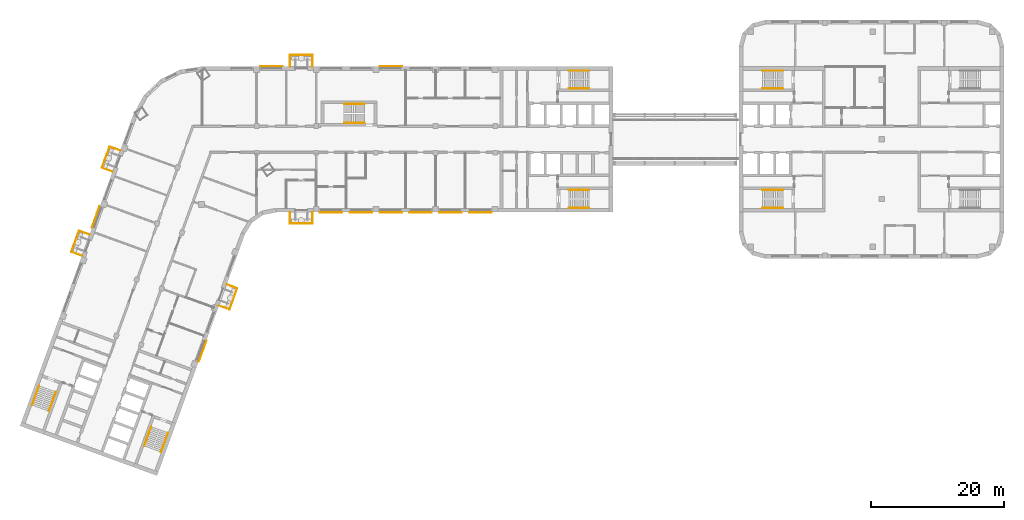
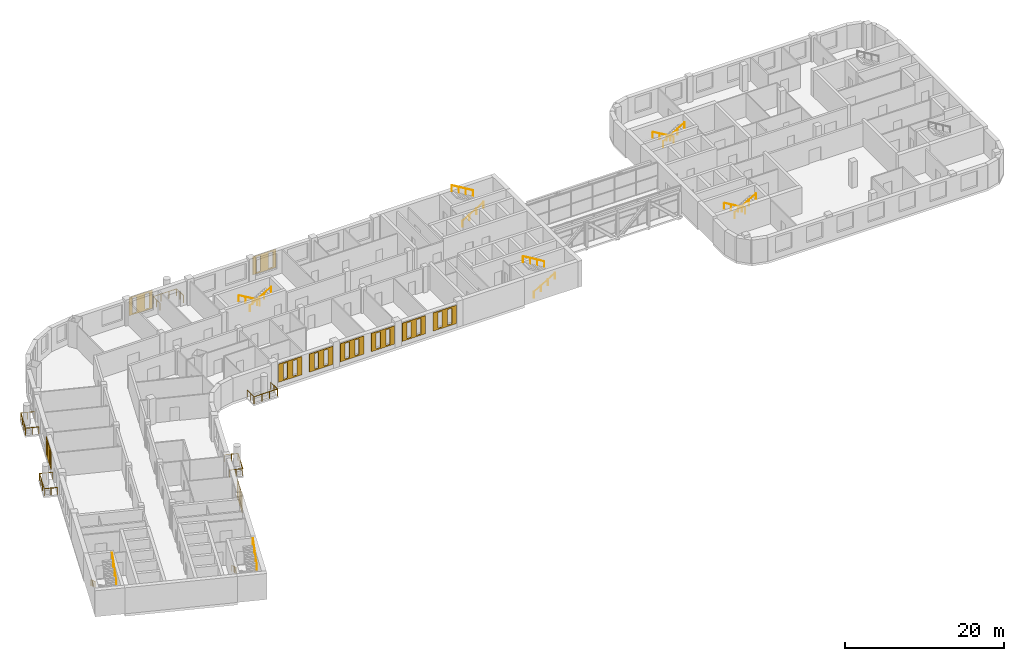
# One storey, part 15 of 18: 19 railings, 10 coverings.
"""IFC4 building model written with IfcOpenShell, lengths in metres."""

from ifc_helpers import new_model, si_unit, direction, frame, origin, origin_2d, place, context, subcontext, project, spatial, polyline, circle, outline, extrude, material, material_profile, profile_set, type_object, element, save


model = new_model("IFC4")

# Units and contexts
model_context = context("Model", 3, precision=1e-05, world=origin(), true_north=direction((0.0, 1.0)))
body_context = subcontext(model_context, "Body", "Model", "MODEL_VIEW")
ifc_project = project(units=[si_unit("LENGTHUNIT", "METRE"), si_unit("AREAUNIT", "SQUARE_METRE"), si_unit("VOLUMEUNIT", "CUBIC_METRE"), si_unit("PLANEANGLEUNIT", "RADIAN"), si_unit("MASSUNIT", "GRAM", prefix="KILO")], contexts=[model_context])

# Site, building, storey
site_placement = place(None, origin())
site = spatial("IfcSite", under=ifc_project, at=site_placement, CompositionType="ELEMENT")
building_placement = place(site_placement, origin())
building = spatial("IfcBuilding", under=site, at=building_placement, Name="Skarvind Civic Tower", CompositionType="ELEMENT")
storey_placement = place(building_placement, frame((0.0, 0.0, 31.5)))
storey = spatial("IfcBuildingStorey", under=building, at=storey_placement, Name="L06", CompositionType="ELEMENT", Elevation=31.5)

# Railings
ifc_material_1 = material(Name="Stainless steel balustrade", Category="steel")
railing_type_1 = type_object("IfcRailingType", Name="GR1 GUARD 1100", PredefinedType="GUARDRAIL", material=ifc_material_1)
railing_1_placement = place(storey_placement, frame((49.735595703125, 106.101806640625, 0.0)))
element("IfcRailing", 1, at=railing_1_placement, inside=storey, type_object=railing_type_1, Name="TREE BALCONY GUARD", PredefinedType="GUARDRAIL", context=body_context, shape_type="SweptSolid", body=[
    extrude(circle(Radius=0.02392578125, at=origin_2d()), frame((0.0, 0.0, 1.076171875), z_axis=(0.93966756638, -0.342088971896, 0.0), x_axis=(0.342088971896, 0.93966756638, 0.0)), (0.0, 0.0, 1.0), 1.699951171875),
    extrude(circle(Radius=0.02392578125, at=origin_2d()), frame((1.597412109375, -0.58154296875, 1.076171875), z_axis=(-0.342002487902, -0.939699046647, 0.0), x_axis=(0.939699046647, -0.342002487902, 0.0)), (0.0, 0.0, 1.0), 3.400146484375),
    extrude(circle(Radius=0.02392578125, at=origin_2d()), frame((0.4345703125, -3.776611328125, 1.076171875), z_axis=(-0.93966756638, 0.342088971896, 0.0), x_axis=(-0.342088971896, -0.93966756638, 0.0)), (0.0, 0.0, 1.0), 1.699951171875),
    extrude(circle(Radius=0.02099609375, at=origin_2d()), origin(), (0.0, 0.0, 1.0), 1.052001953125),
    extrude(circle(Radius=0.02099609375, at=origin_2d()), frame((0.798828125, -0.290771484375, 0.0)), (0.0, 0.0, 1.0), 1.052001953125),
    extrude(circle(Radius=0.02099609375, at=origin_2d()), frame((1.597412109375, -0.58154296875, 0.0)), (0.0, 0.0, 1.0), 1.052001953125),
    extrude(circle(Radius=0.02099609375, at=origin_2d()), frame((1.209716796875, -1.646484375, 0.0)), (0.0, 0.0, 1.0), 1.052001953125),
    extrude(circle(Radius=0.02099609375, at=origin_2d()), frame((0.822265625, -2.711669921875, 0.0)), (0.0, 0.0, 1.0), 1.052001953125),
    extrude(circle(Radius=0.02099609375, at=origin_2d()), frame((0.4345703125, -3.776611328125, 0.0)), (0.0, 0.0, 1.0), 1.052001953125),
    extrude(circle(Radius=0.02099609375, at=origin_2d()), frame((-0.3642578125, -3.48583984375, 0.0)), (0.0, 0.0, 1.0), 1.052001953125),
    extrude(circle(Radius=0.02099609375, at=origin_2d()), frame((-1.162841796875, -3.195068359375, 0.0)), (0.0, 0.0, 1.0), 1.052001953125),
])
railing_2_placement = place(storey_placement, frame((62.699951171875, 117.0, 0.0)))
element("IfcRailing", 2, at=railing_2_placement, inside=storey, type_object=railing_type_1, Name="TREE BALCONY GUARD", PredefinedType="GUARDRAIL", context=body_context, shape_type="SweptSolid", body=[
    extrude(circle(Radius=0.02392578125, at=origin_2d()), frame((0.0, 0.0, 1.076171875), z_axis=(0.0, -1.0, 0.0), x_axis=(1.0, 0.0, 0.0)), (0.0, 0.0, 1.0), 1.699951171875),
    extrude(circle(Radius=0.02392578125, at=origin_2d()), frame((0.0, -1.699951171875, 1.076171875), z_axis=(-1.0, 0.0, 0.0), x_axis=(0.0, -1.0, 0.0)), (0.0, 0.0, 1.0), 3.39990234375),
    extrude(circle(Radius=0.02392578125, at=origin_2d()), frame((-3.39990234375, -1.699951171875, 1.076171875), z_axis=(0.0, 1.0, 0.0), x_axis=(-1.0, 0.0, 0.0)), (0.0, 0.0, 1.0), 1.699951171875),
    extrude(circle(Radius=0.02099609375, at=origin_2d()), origin(), (0.0, 0.0, 1.0), 1.052001953125),
    extrude(circle(Radius=0.02099609375, at=origin_2d()), frame((0.0, -0.85009765625, 0.0)), (0.0, 0.0, 1.0), 1.052001953125),
    extrude(circle(Radius=0.02099609375, at=origin_2d()), frame((0.0, -1.699951171875, 0.0)), (0.0, 0.0, 1.0), 1.052001953125),
    extrude(circle(Radius=0.02099609375, at=origin_2d()), frame((-1.13330078125, -1.699951171875, 0.0)), (0.0, 0.0, 1.0), 1.052001953125),
    extrude(circle(Radius=0.02099609375, at=origin_2d()), frame((-2.2666015625, -1.699951171875, 0.0)), (0.0, 0.0, 1.0), 1.052001953125),
    extrude(circle(Radius=0.02099609375, at=origin_2d()), frame((-3.39990234375, -1.699951171875, 0.0)), (0.0, 0.0, 1.0), 1.052001953125),
    extrude(circle(Radius=0.02099609375, at=origin_2d()), frame((-3.39990234375, -0.85009765625, 0.0)), (0.0, 0.0, 1.0), 1.052001953125),
    extrude(circle(Radius=0.02099609375, at=origin_2d()), frame((-3.39990234375, 0.0, 0.0)), (0.0, 0.0, 1.0), 1.052001953125),
])
railing_3_placement = place(storey_placement, frame((59.300048828125, 139.0, 0.0)))
element("IfcRailing", 3, at=railing_3_placement, inside=storey, type_object=railing_type_1, Name="TREE BALCONY GUARD", PredefinedType="GUARDRAIL", context=body_context, shape_type="SweptSolid", body=[
    extrude(circle(Radius=0.02392578125, at=origin_2d()), frame((0.0, 0.0, 1.076171875), z_axis=(0.0, 1.0, 0.0), x_axis=(-1.0, 0.0, 0.0)), (0.0, 0.0, 1.0), 1.699951171875),
    extrude(circle(Radius=0.02392578125, at=origin_2d()), frame((0.0, 1.699951171875, 1.076171875), z_axis=(1.0, 0.0, 0.0), x_axis=(0.0, 1.0, 0.0)), (0.0, 0.0, 1.0), 3.39990234375),
    extrude(circle(Radius=0.02392578125, at=origin_2d()), frame((3.39990234375, 1.699951171875, 1.076171875), z_axis=(0.0, -1.0, 0.0), x_axis=(1.0, 0.0, 0.0)), (0.0, 0.0, 1.0), 1.699951171875),
    extrude(circle(Radius=0.02099609375, at=origin_2d()), origin(), (0.0, 0.0, 1.0), 1.052001953125),
    extrude(circle(Radius=0.02099609375, at=origin_2d()), frame((0.0, 0.85009765625, 0.0)), (0.0, 0.0, 1.0), 1.052001953125),
    extrude(circle(Radius=0.02099609375, at=origin_2d()), frame((0.0, 1.699951171875, 0.0)), (0.0, 0.0, 1.0), 1.052001953125),
    extrude(circle(Radius=0.02099609375, at=origin_2d()), frame((1.13330078125, 1.699951171875, 0.0)), (0.0, 0.0, 1.0), 1.052001953125),
    extrude(circle(Radius=0.02099609375, at=origin_2d()), frame((2.2666015625, 1.699951171875, 0.0)), (0.0, 0.0, 1.0), 1.052001953125),
    extrude(circle(Radius=0.02099609375, at=origin_2d()), frame((3.39990234375, 1.699951171875, 0.0)), (0.0, 0.0, 1.0), 1.052001953125),
    extrude(circle(Radius=0.02099609375, at=origin_2d()), frame((3.39990234375, 0.85009765625, 0.0)), (0.0, 0.0, 1.0), 1.052001953125),
    extrude(circle(Radius=0.02099609375, at=origin_2d()), frame((3.39990234375, 0.0, 0.0)), (0.0, 0.0, 1.0), 1.052001953125),
])
railing_4_placement = place(storey_placement, frame((27.8994140625, 110.43115234375, 0.0)))
element("IfcRailing", 4, at=railing_4_placement, inside=storey, type_object=railing_type_1, Name="TREE BALCONY GUARD", PredefinedType="GUARDRAIL", context=body_context, shape_type="SweptSolid", body=[
    extrude(circle(Radius=0.02392578125, at=origin_2d()), frame((0.0, 0.0, 1.076171875), z_axis=(-0.93966756638, 0.342088971896, 0.0), x_axis=(-0.342088971896, -0.93966756638, 0.0)), (0.0, 0.0, 1.0), 1.699951171875),
    extrude(circle(Radius=0.02392578125, at=origin_2d()), frame((-1.597412109375, 0.58154296875, 1.076171875), z_axis=(0.342025565686, 0.93969064719, 0.0), x_axis=(-0.93969064719, 0.342025565686, 0.0)), (0.0, 0.0, 1.0), 3.39990234375),
    extrude(circle(Radius=0.02392578125, at=origin_2d()), frame((-0.4345703125, 3.7763671875, 1.076171875), z_axis=(0.939730516252, -0.341916008435, 0.0), x_axis=(0.341916008435, 0.939730516252, 0.0)), (0.0, 0.0, 1.0), 1.7001953125),
    extrude(circle(Radius=0.02099609375, at=origin_2d()), origin(), (0.0, 0.0, 1.0), 1.052001953125),
    extrude(circle(Radius=0.02099609375, at=origin_2d()), frame((-0.798828125, 0.290771484375, 0.0)), (0.0, 0.0, 1.0), 1.052001953125),
    extrude(circle(Radius=0.02099609375, at=origin_2d()), frame((-1.597412109375, 0.58154296875, 0.0)), (0.0, 0.0, 1.0), 1.052001953125),
    extrude(circle(Radius=0.02099609375, at=origin_2d()), frame((-1.209716796875, 1.646484375, 0.0)), (0.0, 0.0, 1.0), 1.052001953125),
    extrude(circle(Radius=0.02099609375, at=origin_2d()), frame((-0.822265625, 2.71142578125, 0.0)), (0.0, 0.0, 1.0), 1.052001953125),
    extrude(circle(Radius=0.02099609375, at=origin_2d()), frame((-0.4345703125, 3.7763671875, 0.0)), (0.0, 0.0, 1.0), 1.052001953125),
    extrude(circle(Radius=0.02099609375, at=origin_2d()), frame((0.3642578125, 3.48583984375, 0.0)), (0.0, 0.0, 1.0), 1.052001953125),
    extrude(circle(Radius=0.02099609375, at=origin_2d()), frame((1.1630859375, 3.195068359375, 0.0)), (0.0, 0.0, 1.0), 1.052001953125),
])
railing_5_placement = place(storey_placement, frame((32.516845703125, 123.1171875, 0.0)))
element("IfcRailing", 5, at=railing_5_placement, inside=storey, type_object=railing_type_1, Name="TREE BALCONY GUARD", PredefinedType="GUARDRAIL", context=body_context, shape_type="SweptSolid", body=[
    extrude(circle(Radius=0.02392578125, at=origin_2d()), frame((0.0, 0.0, 1.076171875), z_axis=(-0.939730516252, 0.341916008435, 0.0), x_axis=(-0.341916008435, -0.939730516252, 0.0)), (0.0, 0.0, 1.0), 1.7001953125),
    extrude(circle(Radius=0.02392578125, at=origin_2d()), frame((-1.59765625, 0.581298828125, 1.076171875), z_axis=(0.342065890968, 0.939675968745, 0.0), x_axis=(-0.939675968745, 0.342065890968, 0.0)), (0.0, 0.0, 1.0), 3.400146484375),
    extrude(circle(Radius=0.02392578125, at=origin_2d()), frame((-0.4345703125, 3.7763671875, 1.076171875), z_axis=(0.93966756638, -0.342088971896, 0.0), x_axis=(0.342088971896, 0.93966756638, 0.0)), (0.0, 0.0, 1.0), 1.699951171875),
    extrude(circle(Radius=0.02099609375, at=origin_2d()), origin(), (0.0, 0.0, 1.0), 1.052001953125),
    extrude(circle(Radius=0.02099609375, at=origin_2d()), frame((-0.798828125, 0.29052734375, 0.0)), (0.0, 0.0, 1.0), 1.052001953125),
    extrude(circle(Radius=0.02099609375, at=origin_2d()), frame((-1.59765625, 0.581298828125, 0.0)), (0.0, 0.0, 1.0), 1.052001953125),
    extrude(circle(Radius=0.02099609375, at=origin_2d()), frame((-1.2099609375, 1.646240234375, 0.0)), (0.0, 0.0, 1.0), 1.052001953125),
    extrude(circle(Radius=0.02099609375, at=origin_2d()), frame((-0.822265625, 2.71142578125, 0.0)), (0.0, 0.0, 1.0), 1.052001953125),
    extrude(circle(Radius=0.02099609375, at=origin_2d()), frame((-0.4345703125, 3.7763671875, 0.0)), (0.0, 0.0, 1.0), 1.052001953125),
    extrude(circle(Radius=0.02099609375, at=origin_2d()), frame((0.3642578125, 3.485595703125, 0.0)), (0.0, 0.0, 1.0), 1.052001953125),
    extrude(circle(Radius=0.02099609375, at=origin_2d()), frame((1.162841796875, 3.19482421875, 0.0)), (0.0, 0.0, 1.0), 1.052001953125),
])
ifc_material_2 = material(Name="Painted steel handrail", Category="steel")
railing_type_2 = type_object("IfcRailingType", Name="Stair handrail 900", PredefinedType="HANDRAIL", material=ifc_material_2)
railing_6_placement = place(storey_placement, frame((101.35009765625, 135.64990234375, 0.166748046875)))
element("IfcRailing", 6, at=railing_6_placement, inside=storey, type_object=railing_type_2, Name="Stair handrail", PredefinedType="HANDRAIL", context=body_context, shape_type="SweptSolid", body=[
    extrude(circle(Radius=0.02392578125, at=origin_2d()), frame((0.0, 0.0, 0.8759765625), z_axis=(0.859290745958, 0.0, 0.51148745235), x_axis=(0.0, 1.0, 0.0)), (0.0, 0.0, 1.0), 3.584228515625),
    extrude(circle(Radius=0.02099609375, at=origin_2d()), origin(), (0.0, 0.0, 1.0), 0.851806640625),
    extrude(circle(Radius=0.02099609375, at=origin_2d()), frame((1.026611328125, 0.0, 0.611083984375)), (0.0, 0.0, 1.0), 0.851806640625),
    extrude(circle(Radius=0.02099609375, at=origin_2d()), frame((2.05322265625, 0.0, 1.22216796875)), (0.0, 0.0, 1.0), 0.851806640625),
    extrude(circle(Radius=0.02099609375, at=origin_2d()), frame((3.079833984375, 0.0, 1.833251953125)), (0.0, 0.0, 1.0), 0.851806640625),
])
railing_7_placement = place(storey_placement, frame((104.429931640625, 138.35009765625, 2.166748046875)))
element("IfcRailing", 7, at=railing_7_placement, inside=storey, type_object=railing_type_2, Name="Stair handrail", PredefinedType="HANDRAIL", context=body_context, shape_type="SweptSolid", body=[
    extrude(circle(Radius=0.02392578125, at=origin_2d()), frame((0.0, 0.0, 0.8759765625), z_axis=(-0.859290745958, 0.0, 0.51148745235), x_axis=(0.0, -1.0, 0.0)), (0.0, 0.0, 1.0), 3.584228515625),
    extrude(circle(Radius=0.02099609375, at=origin_2d()), origin(), (0.0, 0.0, 1.0), 0.851806640625),
    extrude(circle(Radius=0.02099609375, at=origin_2d()), frame((-1.026611328125, 0.0, 0.611083984375)), (0.0, 0.0, 1.0), 0.851806640625),
    extrude(circle(Radius=0.02099609375, at=origin_2d()), frame((-2.05322265625, 0.0, 1.22216796875)), (0.0, 0.0, 1.0), 0.851806640625),
    extrude(circle(Radius=0.02099609375, at=origin_2d()), frame((-3.079833984375, 0.0, 1.833251953125)), (0.0, 0.0, 1.0), 0.851806640625),
])
railing_8_placement = place(storey_placement, frame((101.35009765625, 117.64990234375, 0.166748046875)))
element("IfcRailing", 8, at=railing_8_placement, inside=storey, type_object=railing_type_2, Name="Stair handrail", PredefinedType="HANDRAIL", context=body_context, shape_type="SweptSolid", body=[
    extrude(circle(Radius=0.02392578125, at=origin_2d()), frame((0.0, 0.0, 0.8759765625), z_axis=(0.859290745958, 0.0, 0.51148745235), x_axis=(0.0, 1.0, 0.0)), (0.0, 0.0, 1.0), 3.584228515625),
    extrude(circle(Radius=0.02099609375, at=origin_2d()), origin(), (0.0, 0.0, 1.0), 0.851806640625),
    extrude(circle(Radius=0.02099609375, at=origin_2d()), frame((1.026611328125, 0.0, 0.611083984375)), (0.0, 0.0, 1.0), 0.851806640625),
    extrude(circle(Radius=0.02099609375, at=origin_2d()), frame((2.05322265625, 0.0, 1.22216796875)), (0.0, 0.0, 1.0), 0.851806640625),
    extrude(circle(Radius=0.02099609375, at=origin_2d()), frame((3.079833984375, 0.0, 1.833251953125)), (0.0, 0.0, 1.0), 0.851806640625),
])
railing_9_placement = place(storey_placement, frame((104.429931640625, 120.35009765625, 2.166748046875)))
element("IfcRailing", 9, at=railing_9_placement, inside=storey, type_object=railing_type_2, Name="Stair handrail", PredefinedType="HANDRAIL", context=body_context, shape_type="SweptSolid", body=[
    extrude(circle(Radius=0.02392578125, at=origin_2d()), frame((0.0, 0.0, 0.8759765625), z_axis=(-0.859290745958, 0.0, 0.51148745235), x_axis=(0.0, -1.0, 0.0)), (0.0, 0.0, 1.0), 3.584228515625),
    extrude(circle(Radius=0.02099609375, at=origin_2d()), origin(), (0.0, 0.0, 1.0), 0.851806640625),
    extrude(circle(Radius=0.02099609375, at=origin_2d()), frame((-1.026611328125, 0.0, 0.611083984375)), (0.0, 0.0, 1.0), 0.851806640625),
    extrude(circle(Radius=0.02099609375, at=origin_2d()), frame((-2.05322265625, 0.0, 1.22216796875)), (0.0, 0.0, 1.0), 0.851806640625),
    extrude(circle(Radius=0.02099609375, at=origin_2d()), frame((-3.079833984375, 0.0, 1.833251953125)), (0.0, 0.0, 1.0), 0.851806640625),
])
railing_10_placement = place(storey_placement, frame((38.362060546875, 84.64794921875, 0.166748046875)))
element("IfcRailing", 10, at=railing_10_placement, inside=storey, type_object=railing_type_2, Name="Stair handrail", PredefinedType="HANDRAIL", context=body_context, shape_type="SweptSolid", body=[
    extrude(circle(Radius=0.02392578125, at=origin_2d()), frame((0.0, 0.0, 0.8759765625), z_axis=(-0.293908055923, -0.807480881337, 0.511461319103), x_axis=(0.939689235759, -0.342029443467, 0.0)), (0.0, 0.0, 1.0), 3.584228515625),
    extrude(circle(Radius=0.02099609375, at=origin_2d()), origin(), (0.0, 0.0, 1.0), 0.851806640625),
    extrude(circle(Radius=0.02099609375, at=origin_2d()), frame((-0.35107421875, -0.96484375, 0.611083984375)), (0.0, 0.0, 1.0), 0.851806640625),
    extrude(circle(Radius=0.02099609375, at=origin_2d()), frame((-0.702392578125, -1.929443359375, 1.22216796875)), (0.0, 0.0, 1.0), 0.851806640625),
    extrude(circle(Radius=0.02099609375, at=origin_2d()), frame((-1.053466796875, -2.894287109375, 1.833251953125)), (0.0, 0.0, 1.0), 0.851806640625),
])
railing_11_placement = place(storey_placement, frame((39.845703125, 80.830078125, 2.166748046875)))
element("IfcRailing", 11, at=railing_11_placement, inside=storey, type_object=railing_type_2, Name="Stair handrail", PredefinedType="HANDRAIL", context=body_context, shape_type="SweptSolid", body=[
    extrude(circle(Radius=0.02392578125, at=origin_2d()), frame((0.0, 0.0, 0.8759765625), z_axis=(0.293908055923, 0.807480881337, 0.511461319103), x_axis=(-0.939689235759, 0.342029443467, 0.0)), (0.0, 0.0, 1.0), 3.584228515625),
    extrude(circle(Radius=0.02099609375, at=origin_2d()), origin(), (0.0, 0.0, 1.0), 0.851806640625),
    extrude(circle(Radius=0.02099609375, at=origin_2d()), frame((0.35107421875, 0.96484375, 0.611083984375)), (0.0, 0.0, 1.0), 0.851806640625),
    extrude(circle(Radius=0.02099609375, at=origin_2d()), frame((0.702392578125, 1.929443359375, 1.22216796875)), (0.0, 0.0, 1.0), 0.851806640625),
    extrude(circle(Radius=0.02099609375, at=origin_2d()), frame((1.053466796875, 2.894287109375, 1.833251953125)), (0.0, 0.0, 1.0), 0.851806640625),
])
railing_12_placement = place(storey_placement, frame((21.447509765625, 90.80419921875, 0.166748046875)))
element("IfcRailing", 12, at=railing_12_placement, inside=storey, type_object=railing_type_2, Name="Stair handrail", PredefinedType="HANDRAIL", context=body_context, shape_type="SweptSolid", body=[
    extrude(circle(Radius=0.02392578125, at=origin_2d()), frame((0.0, 0.0, 0.8759765625), z_axis=(-0.293845824691, -0.807497044902, 0.511471557163), x_axis=(0.939714709796, -0.34195944817, 0.0)), (0.0, 0.0, 1.0), 3.584228515625),
    extrude(circle(Radius=0.02099609375, at=origin_2d()), origin(), (0.0, 0.0, 1.0), 0.851806640625),
    extrude(circle(Radius=0.02099609375, at=origin_2d()), frame((-0.35107421875, -0.96484375, 0.611083984375)), (0.0, 0.0, 1.0), 0.851806640625),
    extrude(circle(Radius=0.02099609375, at=origin_2d()), frame((-0.7021484375, -1.929443359375, 1.22216796875)), (0.0, 0.0, 1.0), 0.851806640625),
    extrude(circle(Radius=0.02099609375, at=origin_2d()), frame((-1.05322265625, -2.894287109375, 1.833251953125)), (0.0, 0.0, 1.0), 0.851806640625),
])
railing_13_placement = place(storey_placement, frame((22.931396484375, 86.986572265625, 2.166748046875)))
element("IfcRailing", 13, at=railing_13_placement, inside=storey, type_object=railing_type_2, Name="Stair handrail", PredefinedType="HANDRAIL", context=body_context, shape_type="SweptSolid", body=[
    extrude(circle(Radius=0.02392578125, at=origin_2d()), frame((0.0, 0.0, 0.8759765625), z_axis=(0.293908055923, 0.807480881337, 0.511461319103), x_axis=(-0.939689235759, 0.342029443467, 0.0)), (0.0, 0.0, 1.0), 3.584228515625),
    extrude(circle(Radius=0.02099609375, at=origin_2d()), origin(), (0.0, 0.0, 1.0), 0.851806640625),
    extrude(circle(Radius=0.02099609375, at=origin_2d()), frame((0.35107421875, 0.96484375, 0.611083984375)), (0.0, 0.0, 1.0), 0.851806640625),
    extrude(circle(Radius=0.02099609375, at=origin_2d()), frame((0.702392578125, 1.929443359375, 1.22216796875)), (0.0, 0.0, 1.0), 0.851806640625),
    extrude(circle(Radius=0.02099609375, at=origin_2d()), frame((1.053466796875, 2.894287109375, 1.833251953125)), (0.0, 0.0, 1.0), 0.851806640625),
])
railing_14_placement = place(storey_placement, frame((133.64990234375, 120.35009765625, 0.166748046875)))
element("IfcRailing", 14, at=railing_14_placement, inside=storey, type_object=railing_type_2, Name="Stair handrail", PredefinedType="HANDRAIL", context=body_context, shape_type="SweptSolid", body=[
    extrude(circle(Radius=0.02392578125, at=origin_2d()), frame((0.0, 0.0, 0.8759765625), z_axis=(-0.859290745958, 0.0, 0.51148745235), x_axis=(0.0, -1.0, 0.0)), (0.0, 0.0, 1.0), 3.584228515625),
    extrude(circle(Radius=0.02099609375, at=origin_2d()), origin(), (0.0, 0.0, 1.0), 0.851806640625),
    extrude(circle(Radius=0.02099609375, at=origin_2d()), frame((-1.026611328125, 0.0, 0.611083984375)), (0.0, 0.0, 1.0), 0.851806640625),
    extrude(circle(Radius=0.02099609375, at=origin_2d()), frame((-2.05322265625, 0.0, 1.22216796875)), (0.0, 0.0, 1.0), 0.851806640625),
    extrude(circle(Radius=0.02099609375, at=origin_2d()), frame((-3.079833984375, 0.0, 1.833251953125)), (0.0, 0.0, 1.0), 0.851806640625),
])
railing_15_placement = place(storey_placement, frame((130.570068359375, 117.64990234375, 2.166748046875)))
element("IfcRailing", 15, at=railing_15_placement, inside=storey, type_object=railing_type_2, Name="Stair handrail", PredefinedType="HANDRAIL", context=body_context, shape_type="SweptSolid", body=[
    extrude(circle(Radius=0.02392578125, at=origin_2d()), frame((0.0, 0.0, 0.8759765625), z_axis=(0.859290745958, 0.0, 0.51148745235), x_axis=(0.0, 1.0, 0.0)), (0.0, 0.0, 1.0), 3.584228515625),
    extrude(circle(Radius=0.02099609375, at=origin_2d()), origin(), (0.0, 0.0, 1.0), 0.851806640625),
    extrude(circle(Radius=0.02099609375, at=origin_2d()), frame((1.026611328125, 0.0, 0.611083984375)), (0.0, 0.0, 1.0), 0.851806640625),
    extrude(circle(Radius=0.02099609375, at=origin_2d()), frame((2.05322265625, 0.0, 1.22216796875)), (0.0, 0.0, 1.0), 0.851806640625),
    extrude(circle(Radius=0.02099609375, at=origin_2d()), frame((3.079833984375, 0.0, 1.833251953125)), (0.0, 0.0, 1.0), 0.851806640625),
])
railing_16_placement = place(storey_placement, frame((133.64990234375, 138.35009765625, 0.166748046875)))
element("IfcRailing", 16, at=railing_16_placement, inside=storey, type_object=railing_type_2, Name="Stair handrail", PredefinedType="HANDRAIL", context=body_context, shape_type="SweptSolid", body=[
    extrude(circle(Radius=0.02392578125, at=origin_2d()), frame((0.0, 0.0, 0.8759765625), z_axis=(-0.859290745958, 0.0, 0.51148745235), x_axis=(0.0, -1.0, 0.0)), (0.0, 0.0, 1.0), 3.584228515625),
    extrude(circle(Radius=0.02099609375, at=origin_2d()), origin(), (0.0, 0.0, 1.0), 0.851806640625),
    extrude(circle(Radius=0.02099609375, at=origin_2d()), frame((-1.026611328125, 0.0, 0.611083984375)), (0.0, 0.0, 1.0), 0.851806640625),
    extrude(circle(Radius=0.02099609375, at=origin_2d()), frame((-2.05322265625, 0.0, 1.22216796875)), (0.0, 0.0, 1.0), 0.851806640625),
    extrude(circle(Radius=0.02099609375, at=origin_2d()), frame((-3.079833984375, 0.0, 1.833251953125)), (0.0, 0.0, 1.0), 0.851806640625),
])
railing_17_placement = place(storey_placement, frame((130.570068359375, 135.64990234375, 2.166748046875)))
element("IfcRailing", 17, at=railing_17_placement, inside=storey, type_object=railing_type_2, Name="Stair handrail", PredefinedType="HANDRAIL", context=body_context, shape_type="SweptSolid", body=[
    extrude(circle(Radius=0.02392578125, at=origin_2d()), frame((0.0, 0.0, 0.8759765625), z_axis=(0.859290745958, 0.0, 0.51148745235), x_axis=(0.0, 1.0, 0.0)), (0.0, 0.0, 1.0), 3.584228515625),
    extrude(circle(Radius=0.02099609375, at=origin_2d()), origin(), (0.0, 0.0, 1.0), 0.851806640625),
    extrude(circle(Radius=0.02099609375, at=origin_2d()), frame((1.026611328125, 0.0, 0.611083984375)), (0.0, 0.0, 1.0), 0.851806640625),
    extrude(circle(Radius=0.02099609375, at=origin_2d()), frame((2.05322265625, 0.0, 1.22216796875)), (0.0, 0.0, 1.0), 0.851806640625),
    extrude(circle(Radius=0.02099609375, at=origin_2d()), frame((3.079833984375, 0.0, 1.833251953125)), (0.0, 0.0, 1.0), 0.851806640625),
])
railing_18_placement = place(storey_placement, frame((70.550048828125, 133.35009765625, 0.166748046875)))
element("IfcRailing", 18, at=railing_18_placement, inside=storey, type_object=railing_type_2, Name="Stair handrail", PredefinedType="HANDRAIL", context=body_context, shape_type="SweptSolid", body=[
    extrude(circle(Radius=0.02392578125, at=origin_2d()), frame((0.0, 0.0, 0.8759765625), z_axis=(-0.859308565015, 0.0, 0.511457515432), x_axis=(0.0, -1.0, 0.0)), (0.0, 0.0, 1.0), 3.58447265625),
    extrude(circle(Radius=0.02099609375, at=origin_2d()), origin(), (0.0, 0.0, 1.0), 0.851806640625),
    extrude(circle(Radius=0.02099609375, at=origin_2d()), frame((-1.026611328125, 0.0, 0.611083984375)), (0.0, 0.0, 1.0), 0.851806640625),
    extrude(circle(Radius=0.02099609375, at=origin_2d()), frame((-2.053466796875, 0.0, 1.22216796875)), (0.0, 0.0, 1.0), 0.851806640625),
    extrude(circle(Radius=0.02099609375, at=origin_2d()), frame((-3.080078125, 0.0, 1.833251953125)), (0.0, 0.0, 1.0), 0.851806640625),
])
railing_19_placement = place(storey_placement, frame((67.469970703125, 130.449951171875, 2.166748046875)))
element("IfcRailing", 19, at=railing_19_placement, inside=storey, type_object=railing_type_2, Name="Stair handrail", PredefinedType="HANDRAIL", context=body_context, shape_type="SweptSolid", body=[
    extrude(circle(Radius=0.02392578125, at=origin_2d()), frame((0.0, 0.0, 0.8759765625), z_axis=(0.859308565015, 0.0, 0.511457515432), x_axis=(0.0, 1.0, 0.0)), (0.0, 0.0, 1.0), 3.58447265625),
    extrude(circle(Radius=0.02099609375, at=origin_2d()), origin(), (0.0, 0.0, 1.0), 0.851806640625),
    extrude(circle(Radius=0.02099609375, at=origin_2d()), frame((1.026611328125, 0.0, 0.611083984375)), (0.0, 0.0, 1.0), 0.851806640625),
    extrude(circle(Radius=0.02099609375, at=origin_2d()), frame((2.053466796875, 0.0, 1.22216796875)), (0.0, 0.0, 1.0), 0.851806640625),
    extrude(circle(Radius=0.02099609375, at=origin_2d()), frame((3.080078125, 0.0, 1.833251953125)), (0.0, 0.0, 1.0), 0.851806640625),
])

# Coverings
ifc_material_3 = material(Name="Terracotta", Category="masonry")
ifc_material_profile_1 = material_profile(ifc_material_3, outline(polyline([(-1.699951171875, -1.39990234375), (1.699951171875, -1.39990234375), (1.699951171875, 1.39990234375), (-1.699951171875, 1.39990234375), (-1.699951171875, -1.39990234375)]), holes=[polyline([(-1.0, -1.18994140625), (-0.39990234375, -1.18994140625), (-0.39990234375, 1.18994140625), (-1.0, 1.18994140625), (-1.0, -1.18994140625)]), polyline([(0.39990234375, -1.18994140625), (1.0, -1.18994140625), (1.0, 1.18994140625), (0.39990234375, 1.18994140625), (0.39990234375, -1.18994140625)])]), Name="TERRACOTTA SCREEN 3400 x 2800, SLIT PITCH 1400")
ifc_profile_set_1 = profile_set([ifc_material_profile_1], Name="Terracotta")
covering_type_1 = type_object("IfcCoveringType", Name="TERRACOTTA SCREEN 3400 x 2800, SLIT PITCH 1400", PredefinedType="CLADDING", material=ifc_profile_set_1)
for number, where, z_axis, x_axis, name in (
    (20, (88.0, 117.0, 2.10009765625), (0.0, -1.0, 0.0), (1.0, 0.0, 0.0), "TERRACOTTA SCREEN"),
    (21, (83.5, 117.0, 2.10009765625), (0.0, -1.0, 0.0), (1.0, 0.0, 0.0), "TERRACOTTA SCREEN"),
    (22, (79.0, 117.0, 2.10009765625), (0.0, -1.0, 0.0), (1.0, 0.0, 0.0), "TERRACOTTA SCREEN"),
    (23, (74.5, 117.0, 2.10009765625), (0.0, -1.0, 0.0), (1.0, 0.0, 0.0), "TERRACOTTA SCREEN"),
    (24, (70.0, 117.0, 2.10009765625), (0.0, -1.0, 0.0), (1.0, 0.0, 0.0), "TERRACOTTA SCREEN"),
    (25, (65.5, 117.0, 2.10009765625), (0.0, -1.0, 0.0), (1.0, 0.0, 0.0), "TERRACOTTA SCREEN"),
):
    element("IfcCovering", number, at=place(storey_placement, frame(where, z_axis=z_axis, x_axis=x_axis)), inside=storey, type_object=covering_type_1, Name=name, PredefinedType="CLADDING", context=body_context, shape_type="SweptSolid", body=[
        extrude(outline(polyline([(-1.699951171875, -1.39990234375), (1.699951171875, -1.39990234375), (1.699951171875, 1.39990234375), (-1.699951171875, 1.39990234375), (-1.699951171875, -1.39990234375)]), holes=[polyline([(-1.0, -1.18994140625), (-0.39990234375, -1.18994140625), (-0.39990234375, 1.18994140625), (-1.0, 1.18994140625), (-1.0, -1.18994140625)]), polyline([(0.39990234375, -1.18994140625), (1.0, -1.18994140625), (1.0, 1.18994140625), (0.39990234375, 1.18994140625), (0.39990234375, -1.18994140625)])]), origin(), (0.0, 0.0, 1.0), 0.06005859375),
    ])
ifc_material_profile_2 = material_profile(ifc_material_3, outline(polyline([(-1.699951171875, -1.39990234375), (1.699951171875, -1.39990234375), (1.699951171875, 1.39990234375), (-1.699951171875, 1.39990234375), (-1.699951171875, -1.39990234375)]), holes=[polyline([(-1.199951171875, -1.18994140625), (-0.60009765625, -1.18994140625), (-0.60009765625, 1.18994140625), (-1.199951171875, 1.18994140625), (-1.199951171875, -1.18994140625)]), polyline([(0.60009765625, -1.18994140625), (1.199951171875, -1.18994140625), (1.199951171875, 1.18994140625), (0.60009765625, 1.18994140625), (0.60009765625, -1.18994140625)])]), Name="TERRACOTTA SCREEN 3400 x 2800, SLIT PITCH 1800")
ifc_profile_set_2 = profile_set([ifc_material_profile_2], Name="Terracotta")
covering_type_2 = type_object("IfcCoveringType", Name="TERRACOTTA SCREEN 3400 x 2800, SLIT PITCH 1800", PredefinedType="CLADDING", material=ifc_profile_set_2)
for number, where, z_axis, x_axis, name in (
    (26, (46.075927734375, 96.047119140625, 2.10009765625), (0.939793423488, -0.341743063087, 0.0), (0.341743063087, 0.939793423488, 0.0), "TERRACOTTA SCREEN"),
    (27, (56.5, 139.0, 2.10009765625), (0.0, 1.0, 0.0), (-1.0, 0.0, 0.0), "TERRACOTTA SCREEN"),
    (28, (74.5, 139.0, 2.10009765625), (0.0, 1.0, 0.0), (-1.0, 0.0, 0.0), "TERRACOTTA SCREEN"),
    (29, (30.02001953125, 116.25732421875, 2.10009765625), (-0.939793423488, 0.341743063087, 0.0), (-0.341743063087, -0.939793423488, 0.0), "TERRACOTTA SCREEN"),
):
    element("IfcCovering", number, at=place(storey_placement, frame(where, z_axis=z_axis, x_axis=x_axis)), inside=storey, type_object=covering_type_2, Name=name, PredefinedType="CLADDING", context=body_context, shape_type="SweptSolid", body=[
        extrude(outline(polyline([(-1.699951171875, -1.39990234375), (1.699951171875, -1.39990234375), (1.699951171875, 1.39990234375), (-1.699951171875, 1.39990234375), (-1.699951171875, -1.39990234375)]), holes=[polyline([(-1.199951171875, -1.18994140625), (-0.60009765625, -1.18994140625), (-0.60009765625, 1.18994140625), (-1.199951171875, 1.18994140625), (-1.199951171875, -1.18994140625)]), polyline([(0.60009765625, -1.18994140625), (1.199951171875, -1.18994140625), (1.199951171875, 1.18994140625), (0.60009765625, 1.18994140625), (0.60009765625, -1.18994140625)])]), origin(), (0.0, 0.0, 1.0), 0.06005859375),
    ])

save(model, "model.ifc")
